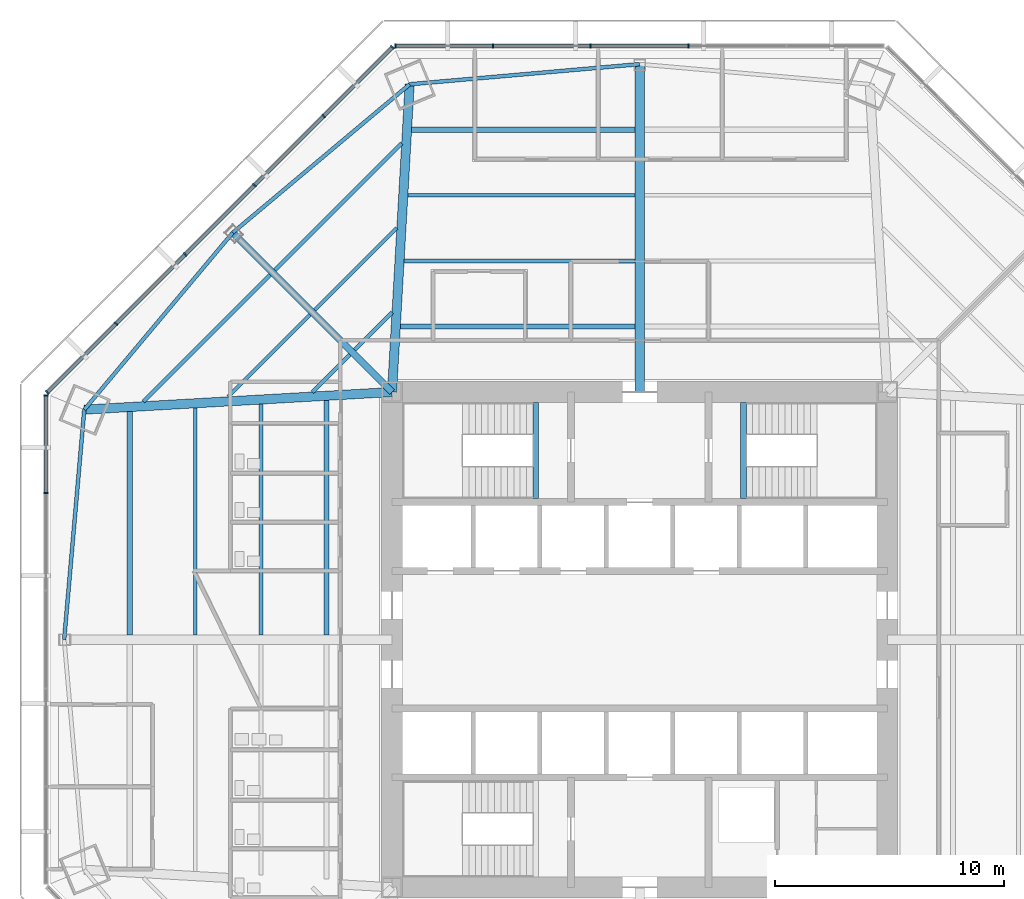
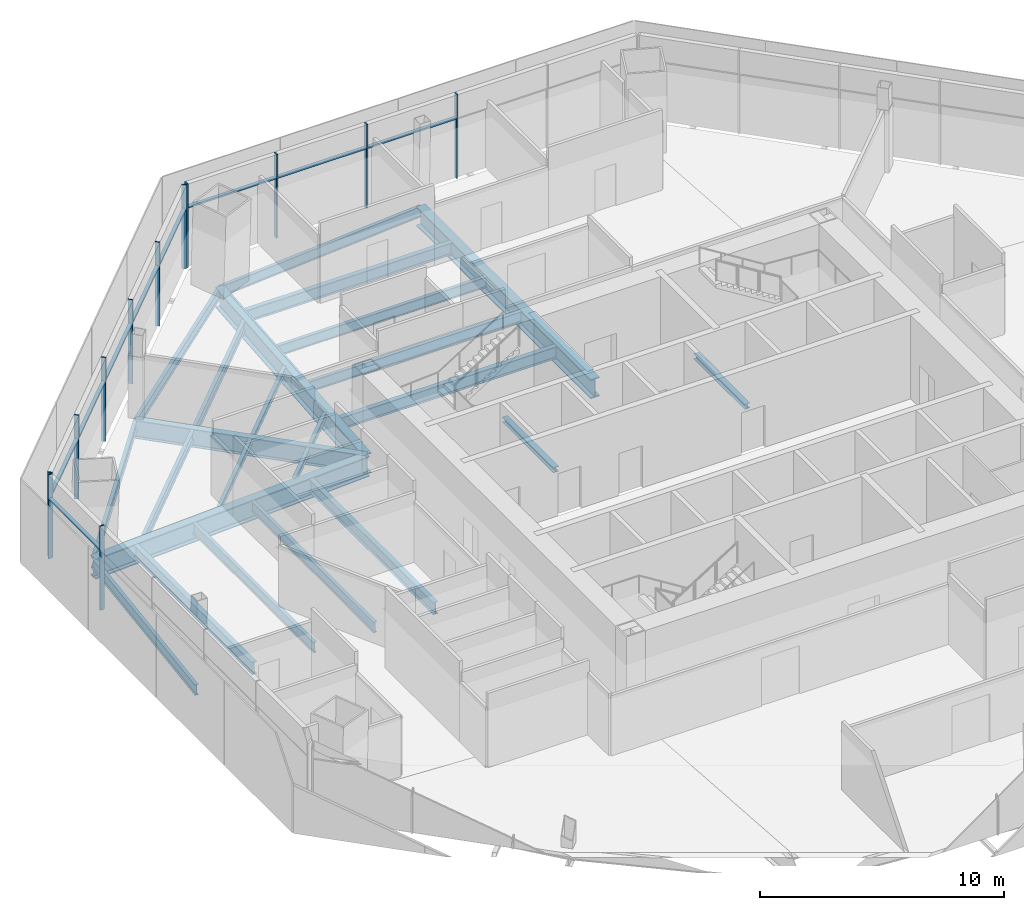
# One storey, part 5 of 15: 24 beams, 21 members, 3 elements without a shape of their own.
"""IFC4 building model written with IfcOpenShell, lengths in metres."""

import ifcopenshell
import ifcopenshell.guid

model = None  # the IFC model being written
_history = None  # IfcOwnerHistory: only IFC2X3 demands one
_inside = {}  # id of a spatial element -> (the spatial element, [elements in it])
_under = {}  # id of a project, library or spatial element -> (it, [spatial elements below it])
_declared = {}  # id of a project -> (the project, [libraries it declares])
_typed = {}  # id of a type object -> (the type object, [elements of that type])
_made_of = {}  # id of a material, layer set ... -> (it, [elements and type objects made of it])


def new_model(schema):
    """Start an empty IFC model of exactly this schema.

    Asked for "IFC4X3", IfcOpenShell would pick the latest addendum, in which some entities
    have other attributes; the version numbers below select the first issue.
    IFC2X3 requires an IfcOwnerHistory on every rooted entity: one is made here for all.
    """
    global model, _history
    if schema == "IFC4X3":
        model = ifcopenshell.file(schema_version=(4, 3, 0, 0))
    else:
        model = ifcopenshell.file(schema=schema)
    _inside.clear()
    _under.clear()
    _declared.clear()
    _typed.clear()
    _made_of.clear()
    _history = None
    if model.schema == "IFC2X3":
        org = make("IfcOrganization", Name="unknown")
        user = make(
            "IfcPersonAndOrganization",
            ThePerson=make("IfcPerson", FamilyName="unknown"),
            TheOrganization=org,
        )
        app = make(
            "IfcApplication",
            ApplicationDeveloper=org,
            Version="unknown",
            ApplicationFullName="unknown",
            ApplicationIdentifier="unknown",
        )
        _history = make(
            "IfcOwnerHistory",
            OwningUser=user,
            OwningApplication=app,
            ChangeAction="ADDED",
            CreationDate=0,
        )
    return model


def make(cls, **values):
    """One entity of the class cls with the attributes given. An attribute that is None is left unset."""
    return model.create_entity(
        cls, **{name: value for name, value in values.items() if value is not None}
    )


def rooted(cls, **values):
    """An entity with a GlobalId (a new one), such as an element, a storey or a relation."""
    return make(cls, GlobalId=ifcopenshell.guid.new(), OwnerHistory=_history, **values)


def si_unit(unit_type, name, prefix=None):
    """IfcSIUnit, for example si_unit("LENGTHUNIT", "METRE", prefix="MILLI")."""
    return make("IfcSIUnit", UnitType=unit_type, Prefix=prefix, Name=name)


def assignment(units):
    """IfcUnitAssignment: the units of a project."""
    return None if units is None else make("IfcUnitAssignment", Units=units)


def point(xyz):
    """IfcCartesianPoint."""
    return None if xyz is None else make("IfcCartesianPoint", Coordinates=xyz)


def direction(xyz):
    """IfcDirection."""
    return None if xyz is None else make("IfcDirection", DirectionRatios=xyz)


def frame(location, z_axis=None, x_axis=None):
    """IfcAxis2Placement3D, a coordinate frame: its origin and axes. An axis left out is left unset."""
    return make(
        "IfcAxis2Placement3D",
        Location=point(location),
        Axis=direction(z_axis),
        RefDirection=direction(x_axis),
    )


def frame_2d(location, x_axis=None):
    """IfcAxis2Placement2D, a coordinate frame in the plane: its origin and x axis."""
    return make(
        "IfcAxis2Placement2D", Location=point(location), RefDirection=direction(x_axis)
    )


def origin():
    """The frame at (0, 0, 0) with its axes left unset."""
    return frame((0.0, 0.0, 0.0))


def origin_2d():
    """The frame at (0, 0) in the plane with its x axis left unset."""
    return frame_2d((0.0, 0.0))


def place(relative_to, where):
    """IfcLocalPlacement: puts the frame where relative to a parent placement (None: the world)."""
    return make(
        "IfcLocalPlacement", PlacementRelTo=relative_to, RelativePlacement=where
    )


def context(
    kind, dimensions, precision=None, world=None, true_north=None, identifier=None
):
    """IfcGeometricRepresentationContext, for example the 3D "Model" context."""
    return make(
        "IfcGeometricRepresentationContext",
        ContextIdentifier=identifier,
        ContextType=kind,
        CoordinateSpaceDimension=dimensions,
        Precision=precision,
        WorldCoordinateSystem=world,
        TrueNorth=true_north,
    )


def subcontext(parent, identifier, kind, view, scale=None):
    """IfcGeometricRepresentationSubContext, for example "Body" below "Model"."""
    return make(
        "IfcGeometricRepresentationSubContext",
        ContextIdentifier=identifier,
        ContextType=kind,
        ParentContext=parent,
        TargetScale=scale,
        TargetView=view,
    )


def project(units=None, contexts=None):
    """IfcProject with its units and contexts."""
    return rooted(
        "IfcProject",
        Name="project",
        RepresentationContexts=contexts,
        UnitsInContext=assignment(units),
    )


def spatial(cls, under=None, at=None, **own):
    """A site, building, storey or space (cls), placed at a placement, below another one or the project."""
    s = rooted(cls, ObjectPlacement=at, **own)
    if under is not None:
        _under.setdefault(under.id(), (under, []))[1].append(s)
    return s


def profile(cls, at=None, kind="AREA", **sizes):
    """A parametric profile (cls). Its sizes go by their IFC names, for example OverallWidth=200.0."""
    return make(cls, ProfileType=kind, Position=at, **sizes)


def rectangle(**sizes):
    """IfcRectangleProfileDef."""
    return profile("IfcRectangleProfileDef", **sizes)


def i_section(**sizes):
    """IfcIShapeProfileDef."""
    return profile("IfcIShapeProfileDef", **sizes)


def extrude(swept, where, along, depth):
    """IfcExtrudedAreaSolid: the profile swept, set in the frame where, extruded along a direction by depth."""
    return make(
        "IfcExtrudedAreaSolid",
        SweptArea=swept,
        Position=where,
        ExtrudedDirection=direction(along),
        Depth=depth,
    )


def shape(context_of_items, identifier, shape_type, items):
    """IfcShapeRepresentation: the items that make up one representation, for example the "Body"."""
    return make(
        "IfcShapeRepresentation",
        ContextOfItems=context_of_items,
        RepresentationIdentifier=identifier,
        RepresentationType=shape_type,
        Items=items,
    )


def source(mapping_origin, context_of_items, identifier, shape_type, items):
    """IfcRepresentationMap: a shape defined once, which mapped items show again and again."""
    return make(
        "IfcRepresentationMap",
        MappingOrigin=mapping_origin,
        MappedRepresentation=shape(context_of_items, identifier, shape_type, items),
    )


def transform(
    local_origin,
    x_axis=None,
    y_axis=None,
    z_axis=None,
    scale=None,
    scale2=None,
    scale3=None,
    uniform=True,
):
    """IfcCartesianTransformationOperator3D, or its non-uniform kind. x_axis, y_axis, z_axis: its Axis1, 2, 3."""
    if uniform:
        return make(
            "IfcCartesianTransformationOperator3D",
            Axis1=direction(x_axis),
            Axis2=direction(y_axis),
            LocalOrigin=point(local_origin),
            Scale=scale,
            Axis3=direction(z_axis),
        )
    return make(
        "IfcCartesianTransformationOperator3DnonUniform",
        Axis1=direction(x_axis),
        Axis2=direction(y_axis),
        LocalOrigin=point(local_origin),
        Scale=scale,
        Axis3=direction(z_axis),
        Scale2=scale2,
        Scale3=scale3,
    )


def mapped(mapping_source, mapping_target):
    """IfcMappedItem: shows the shape of a source again, moved by a transform."""
    return make(
        "IfcMappedItem", MappingSource=mapping_source, MappingTarget=mapping_target
    )


def material(Name=None, Category=None):
    """IfcMaterial."""
    return make("IfcMaterial", Name=Name, Category=Category)


def material_profile(
    of_material, cross_section, Name=None, Category=None, Priority=None
):
    """IfcMaterialProfile: a cross section and its material."""
    return make(
        "IfcMaterialProfile",
        Name=Name,
        Material=of_material,
        Profile=cross_section,
        Priority=Priority,
        Category=Category,
    )


def profile_set(profiles, Name=None, composite=None):
    """IfcMaterialProfileSet."""
    return make(
        "IfcMaterialProfileSet",
        Name=Name,
        MaterialProfiles=profiles,
        CompositeProfile=composite,
    )


def made_of(thing, what):
    """Note that an element or type object is made of a material, layer set ...; save() writes the relation."""
    if what is not None:
        _made_of.setdefault(what.id(), (what, []))[1].append(thing)
    return thing


def type_object(cls, material=None, **own):
    """A type object (cls), such as IfcWallType, which elements share."""
    return made_of(rooted(cls, **own), material)


def type_shapes(of_type, sources):
    """Give a type object the sources (RepresentationMaps) that its elements show as mapped items."""
    of_type.RepresentationMaps = sources


def element(
    cls,
    number,
    at=None,
    inside=None,
    cuts=None,
    type_object=None,
    material=None,
    context=None,
    identifier="Body",
    shape_type=None,
    held_by="IfcProductDefinitionShape",
    body=None,
    shapes=None,
    **own,
):
    """One element of the class cls, such as IfcWall. Its Tag is "e" and its number.

    at: its placement. inside: the storey or other place that contains it. cuts: it is an
    opening in that element (IfcRelVoidsElement). A single representation is given by context,
    identifier, shape_type and body (its items); several are given by shapes. held_by: the class
    of the entity that holds the representations. save() writes the other relations.
    """
    e = rooted(cls, Tag="e%d" % number, ObjectPlacement=at, **own)
    if body is not None:
        shapes = [shape(context, identifier, shape_type, body)]
    if shapes is not None:
        e.Representation = make(held_by, Representations=shapes)
    if inside is not None:
        _inside.setdefault(inside.id(), (inside, []))[1].append(e)
    if cuts is not None:
        rooted(
            "IfcRelVoidsElement", RelatingBuildingElement=cuts, RelatedOpeningElement=e
        )
    if type_object is not None:
        _typed.setdefault(type_object.id(), (type_object, []))[1].append(e)
    return made_of(e, material)


def aggregate(whole, parts):
    """IfcRelAggregates: a whole, such as a stair, and the parts it consists of."""
    return rooted("IfcRelAggregates", RelatingObject=whole, RelatedObjects=parts)


def save(model, path):
    """Write the relations noted so far, then the file.

    IfcRelAggregates (storeys below a building ...), IfcRelContainedInSpatialStructure (elements
    in a storey), IfcRelDefinesByType, IfcRelAssociatesMaterial and IfcRelDeclares: one each for
    every whole, place, type object, material and project.
    """
    for whole, parts in _under.values():
        aggregate(whole, parts)
    for where, things in _inside.values():
        rooted(
            "IfcRelContainedInSpatialStructure",
            RelatedElements=things,
            RelatingStructure=where,
        )
    for kind, things in _typed.values():
        rooted("IfcRelDefinesByType", RelatedObjects=things, RelatingType=kind)
    for what, things in _made_of.values():
        rooted("IfcRelAssociatesMaterial", RelatedObjects=things, RelatingMaterial=what)
    for by, libraries in _declared.values():
        rooted("IfcRelDeclares", RelatingContext=by, RelatedDefinitions=libraries)
    model.write(path)


model = new_model("IFC4")

# Units and contexts
model_context = context("Model", 3, precision=1e-05, world=origin(), true_north=direction((0.0, 1.0)))
body_context = subcontext(model_context, "Body", "Model", "MODEL_VIEW")
ifc_project = project(units=[si_unit("LENGTHUNIT", "METRE"), si_unit("AREAUNIT", "SQUARE_METRE"), si_unit("VOLUMEUNIT", "CUBIC_METRE"), si_unit("PLANEANGLEUNIT", "RADIAN"), si_unit("MASSUNIT", "GRAM", prefix="KILO")], contexts=[model_context])

# Site, building, storey
site_placement = place(None, origin())
site = spatial("IfcSite", under=ifc_project, at=site_placement, CompositionType="ELEMENT")
building_placement = place(site_placement, origin())
building = spatial("IfcBuilding", under=site, at=building_placement, Name="Mashrafa Tower", CompositionType="ELEMENT")
storey_placement = place(building_placement, frame((0.0, 0.0, 75.0)))
storey = spatial("IfcBuildingStorey", under=building, at=storey_placement, Name="L16", CompositionType="ELEMENT", Elevation=75.0)

# Beams
ifc_material_1 = material(Name="Steel ASTM A992", Category="steel")
ifc_material_profile_1 = material_profile(ifc_material_1, i_section(OverallWidth=0.164794921875, OverallDepth=0.309814453125, WebThickness=0.005859375, FlangeThickness=0.009765625, FilletRadius=0.007568359375, at=origin_2d()), Name="W12X26")
ifc_profile_set_1 = profile_set([ifc_material_profile_1], Name="Steel ASTM A992")
beam_type_1 = type_object("IfcBeamType", Name="Beam W12X26", PredefinedType="BEAM", material=ifc_profile_set_1)
beam_1_placement = place(storey_placement, frame((-17.955078125, 10.591552734375, -0.31982421875), z_axis=(0.707106781187, 0.707106781187, 0.0), x_axis=(-0.707106781187, 0.707106781187, 0.0)))
element("IfcBeam", 1, at=beam_1_placement, inside=storey, type_object=beam_type_1, Name="Floor beam L16 006", PredefinedType="BEAM", context=body_context, shape_type="SweptSolid", body=[
    extrude(i_section(OverallWidth=0.164794921875, OverallDepth=0.309814453125, WebThickness=0.005859375, FlangeThickness=0.009765625, FilletRadius=0.007568359375, at=origin_2d()), origin(), (0.0, 0.0, 1.0), 5.054443359375),
])
beam_2_placement = place(storey_placement, frame((-14.27099609375, 10.802490234375, -0.31982421875), z_axis=(0.707106781187, 0.707106781187, 0.0), x_axis=(-0.707106781187, 0.707106781187, 0.0)))
element("IfcBeam", 2, at=beam_2_placement, inside=storey, type_object=beam_type_1, Name="Floor beam L16 011", PredefinedType="BEAM", context=body_context, shape_type="SweptSolid", body=[
    extrude(i_section(OverallWidth=0.164794921875, OverallDepth=0.309814453125, WebThickness=0.005859375, FlangeThickness=0.009765625, FilletRadius=0.007568359375, at=origin_2d()), origin(), (0.0, 0.0, 1.0), 2.300048828125),
])
beam_3_placement = place(storey_placement, frame((-14.16552734375, 14.381103515625, -0.31982421875), z_axis=(0.707106781187, 0.707106781187, 0.0), x_axis=(-0.707106781187, 0.707106781187, 0.0)))
element("IfcBeam", 3, at=beam_3_placement, inside=storey, type_object=beam_type_1, Name="Floor beam L16 013", PredefinedType="BEAM", context=body_context, shape_type="SweptSolid", body=[
    extrude(i_section(OverallWidth=0.164794921875, OverallDepth=0.309814453125, WebThickness=0.005859375, FlangeThickness=0.009765625, FilletRadius=0.007568359375, at=origin_2d()), origin(), (0.0, 0.0, 1.0), 5.054443359375),
])
beam_4_placement = place(storey_placement, frame((-12.428955078125, 12.64453125, -0.31982421875), z_axis=(0.707106781187, 0.707106781187, 0.0), x_axis=(-0.707106781187, 0.707106781187, 0.0)))
element("IfcBeam", 4, at=beam_4_placement, inside=storey, type_object=beam_type_1, Name="Floor beam L16 017", PredefinedType="BEAM", context=body_context, shape_type="SweptSolid", body=[
    extrude(i_section(OverallWidth=0.164794921875, OverallDepth=0.309814453125, WebThickness=0.005859375, FlangeThickness=0.009765625, FilletRadius=0.007568359375, at=origin_2d()), origin(), (0.0, 0.0, 1.0), 2.300048828125),
])
ifc_material_2 = material(Name="Steel ASTM A992", Category="steel")
ifc_material_profile_2 = material_profile(ifc_material_2, i_section(OverallWidth=0.165771484375, OverallDepth=0.5283203125, WebThickness=0.009765625, FlangeThickness=0.013671875, FilletRadius=0.012939453125, at=origin_2d()), Name="W21X50")
ifc_profile_set_2 = profile_set([ifc_material_profile_2], Name="Steel ASTM A992")
beam_type_2 = type_object("IfcBeamType", Name="Beam W21X50", PredefinedType="BEAM", material=ifc_profile_set_2)
beam_5_placement = place(storey_placement, frame((-21.639404296875, 10.380615234375, -0.42919921875), z_axis=(0.707091148472, 0.707122413556, 0.0), x_axis=(-0.707122413556, 0.707091148472, 0.0)))
element("IfcBeam", 5, at=beam_5_placement, inside=storey, type_object=beam_type_2, Name="Floor beam L16 003", PredefinedType="BEAM", context=body_context, shape_type="SweptSolid", body=[
    extrude(i_section(OverallWidth=0.165771484375, OverallDepth=0.5283203125, WebThickness=0.009765625, FlangeThickness=0.013671875, FilletRadius=0.012939453125, at=origin_2d()), origin(), (0.0, 0.0, 1.0), 7.808837890625),
])
beam_6_placement = place(storey_placement, frame((-19.378662109375, 0.212158203125, -0.42919921875), z_axis=(0.0, 1.0, 0.0), x_axis=(-1.0, 0.0, 0.0)))
element("IfcBeam", 6, at=beam_6_placement, inside=storey, type_object=beam_type_2, Name="Floor beam L16 005", PredefinedType="BEAM", context=body_context, shape_type="SweptSolid", body=[
    extrude(i_section(OverallWidth=0.165771484375, OverallDepth=0.5283203125, WebThickness=0.009765625, FlangeThickness=0.013671875, FilletRadius=0.012939453125, at=origin_2d()), origin(), (0.0, 0.0, 1.0), 9.89599609375),
])
beam_7_placement = place(storey_placement, frame((-16.51904296875, 0.212158203125, -0.42919921875), z_axis=(0.0, 1.0, 0.0), x_axis=(-1.0, 0.0, 0.0)))
element("IfcBeam", 7, at=beam_7_placement, inside=storey, type_object=beam_type_2, Name="Floor beam L16 008", PredefinedType="BEAM", context=body_context, shape_type="SweptSolid", body=[
    extrude(i_section(OverallWidth=0.165771484375, OverallDepth=0.5283203125, WebThickness=0.009765625, FlangeThickness=0.013671875, FilletRadius=0.012939453125, at=origin_2d()), origin(), (0.0, 0.0, 1.0), 10.0595703125),
])
beam_8_placement = place(storey_placement, frame((-15.90234375, 16.117919921875, -0.42919921875), z_axis=(0.707122413556, 0.707091148472, 0.0), x_axis=(-0.707091148472, 0.707122413556, 0.0)))
element("IfcBeam", 8, at=beam_8_placement, inside=storey, type_object=beam_type_2, Name="Floor beam L16 010", PredefinedType="BEAM", context=body_context, shape_type="SweptSolid", body=[
    extrude(i_section(OverallWidth=0.165771484375, OverallDepth=0.5283203125, WebThickness=0.009765625, FlangeThickness=0.013671875, FilletRadius=0.012939453125, at=origin_2d()), origin(), (0.0, 0.0, 1.0), 7.808837890625),
])
beam_9_placement = place(storey_placement, frame((-10.271728515625, 16.51904296875, -0.42919921875), z_axis=(1.0, 0.0, 0.0), x_axis=(0.0, 1.0, 0.0)))
element("IfcBeam", 9, at=beam_9_placement, inside=storey, type_object=beam_type_2, Name="Floor beam L16 020", PredefinedType="BEAM", context=body_context, shape_type="SweptSolid", body=[
    extrude(i_section(OverallWidth=0.165771484375, OverallDepth=0.5283203125, WebThickness=0.009765625, FlangeThickness=0.013671875, FilletRadius=0.012939453125, at=origin_2d()), origin(), (0.0, 0.0, 1.0), 10.0595703125),
])
beam_10_placement = place(storey_placement, frame((-10.108154296875, 19.378662109375, -0.42919921875), z_axis=(1.0, 0.0, 0.0), x_axis=(0.0, 1.0, 0.0)))
element("IfcBeam", 10, at=beam_10_placement, inside=storey, type_object=beam_type_2, Name="Floor beam L16 022", PredefinedType="BEAM", context=body_context, shape_type="SweptSolid", body=[
    extrude(i_section(OverallWidth=0.165771484375, OverallDepth=0.5283203125, WebThickness=0.009765625, FlangeThickness=0.013671875, FilletRadius=0.012939453125, at=origin_2d()), origin(), (0.0, 0.0, 1.0), 9.89599609375),
])
beam_11_placement = place(storey_placement, frame((-24.219482421875, 10.031982421875, -0.42919921875), z_axis=(-0.087203941419, -0.996190480079, 0.0), x_axis=(0.996190480079, -0.087203941419, 0.0)))
element("IfcBeam", 11, at=beam_11_placement, inside=storey, type_object=beam_type_2, Name="Spandrel beam L16 075", PredefinedType="BEAM", context=body_context, shape_type="SweptSolid", body=[
    extrude(i_section(OverallWidth=0.165771484375, OverallDepth=0.5283203125, WebThickness=0.009765625, FlangeThickness=0.013671875, FilletRadius=0.012939453125, at=origin_2d()), origin(), (0.0, 0.0, 1.0), 10.0703125),
])
for number, where, z_axis, x_axis, name in (
    (12, (-17.746826171875, 17.746826171875, -0.42919921875), (-0.642737127669, -0.766086799727, 0.0), (0.766086799727, -0.642737127669, 0.0), "Spandrel beam L16 077"),
    (13, (-10.031982421875, 24.219482421875, -0.42919921875), (-0.766086799727, -0.642737127669, 0.0), (0.642737127669, -0.766086799727, 0.0), "Spandrel beam L16 079"),
):
    element("IfcBeam", number, at=place(storey_placement, frame(where, z_axis=z_axis, x_axis=x_axis)), inside=storey, type_object=beam_type_2, Name=name, PredefinedType="BEAM", context=body_context, shape_type="SweptSolid", body=[
        extrude(i_section(OverallWidth=0.165771484375, OverallDepth=0.5283203125, WebThickness=0.009765625, FlangeThickness=0.013671875, FilletRadius=0.012939453125, at=origin_2d()), origin(), (0.0, 0.0, 1.0), 10.070556640625),
    ])
beam_12_placement = place(storey_placement, frame((0.0, 25.09765625, -0.42919921875), z_axis=(-0.996190480079, -0.087203941419, 0.0), x_axis=(0.087203941419, -0.996190480079, 0.0)))
element("IfcBeam", 14, at=beam_12_placement, inside=storey, type_object=beam_type_2, Name="Spandrel beam L16 081", PredefinedType="BEAM", context=body_context, shape_type="SweptSolid", body=[
    extrude(i_section(OverallWidth=0.165771484375, OverallDepth=0.5283203125, WebThickness=0.009765625, FlangeThickness=0.013671875, FilletRadius=0.012939453125, at=origin_2d()), origin(), (0.0, 0.0, 1.0), 10.0703125),
])
ifc_material_3 = material(Name="Steel ASTM A992", Category="steel")
ifc_material_profile_3 = material_profile(ifc_material_3, i_section(OverallWidth=0.227783203125, OverallDepth=0.60205078125, WebThickness=0.010498046875, FlangeThickness=0.014892578125, FilletRadius=0.012939453125, at=origin_2d()), Name="W24X68")
ifc_profile_set_3 = profile_set([ifc_material_profile_3], Name="Steel ASTM A992")
beam_type_3 = type_object("IfcBeamType", Name="Beam W24X68", PredefinedType="BEAM", material=ifc_profile_set_3)
beam_13_placement = place(storey_placement, frame((-22.23828125, 0.212158203125, -0.466064453125), z_axis=(0.0, 1.0, 0.0), x_axis=(-1.0, 0.0, 0.0)))
element("IfcBeam", 15, at=beam_13_placement, inside=storey, type_object=beam_type_3, Name="Floor beam L16 002", PredefinedType="BEAM", context=body_context, shape_type="SweptSolid", body=[
    extrude(i_section(OverallWidth=0.227783203125, OverallDepth=0.60205078125, WebThickness=0.010498046875, FlangeThickness=0.014892578125, FilletRadius=0.012939453125, at=origin_2d()), origin(), (0.0, 0.0, 1.0), 9.732421875),
])
for number, where, z_axis, x_axis, name in (
    (16, (-13.659423828125, 0.212158203125, -0.466064453125), (0.0, 1.0, 0.0), (-1.0, 0.0, 0.0), "Floor beam L16 015"),
    (17, (-10.435302734375, 13.659423828125, -0.466064453125), (1.0, 0.0, 0.0), (0.0, 1.0, 0.0), "Floor beam L16 018"),
):
    element("IfcBeam", number, at=place(storey_placement, frame(where, z_axis=z_axis, x_axis=x_axis)), inside=storey, type_object=beam_type_3, Name=name, PredefinedType="BEAM", context=body_context, shape_type="SweptSolid", body=[
        extrude(i_section(OverallWidth=0.227783203125, OverallDepth=0.60205078125, WebThickness=0.010498046875, FlangeThickness=0.014892578125, FilletRadius=0.012939453125, at=origin_2d()), origin(), (0.0, 0.0, 1.0), 10.22314453125),
    ])
beam_14_placement = place(storey_placement, frame((-9.944580078125, 22.23828125, -0.466064453125), z_axis=(1.0, 0.0, 0.0), x_axis=(0.0, 1.0, 0.0)))
element("IfcBeam", 18, at=beam_14_placement, inside=storey, type_object=beam_type_3, Name="Floor beam L16 024", PredefinedType="BEAM", context=body_context, shape_type="SweptSolid", body=[
    extrude(i_section(OverallWidth=0.227783203125, OverallDepth=0.60205078125, WebThickness=0.010498046875, FlangeThickness=0.014892578125, FilletRadius=0.012939453125, at=origin_2d()), origin(), (0.0, 0.0, 1.0), 9.732421875),
])
ifc_material_4 = material(Name="Steel ASTM A992", Category="steel")
ifc_material_profile_4 = material_profile(ifc_material_4, i_section(OverallWidth=0.3046875, OverallDepth=0.911865234375, WebThickness=0.015869140625, FlangeThickness=0.02392578125, FilletRadius=0.01904296875, at=origin_2d()), Name="W36X150")
ifc_profile_set_4 = profile_set([ifc_material_profile_4], Name="Steel ASTM A992")
beam_type_4 = type_object("IfcBeamType", Name="Beam W36X150", PredefinedType="BEAM", material=ifc_profile_set_4)
beam_15_placement = place(storey_placement, frame((-10.800048828125, 10.800048828125, -0.620849609375), z_axis=(-0.707106781187, 0.707106781187, 0.0), x_axis=(-0.707106781187, -0.707106781187, 0.0)))
element("IfcBeam", 19, at=beam_15_placement, inside=storey, type_object=beam_type_4, Name="Radial girder L16 062", PredefinedType="BEAM", context=body_context, shape_type="SweptSolid", body=[
    extrude(i_section(OverallWidth=0.3046875, OverallDepth=0.911865234375, WebThickness=0.015869140625, FlangeThickness=0.02392578125, FilletRadius=0.01904296875, at=origin_2d()), origin(), (0.0, 0.0, 1.0), 9.82421875),
])
ifc_material_5 = material(Name="Steel ASTM A992", Category="steel")
ifc_material_profile_5 = material_profile(ifc_material_5, i_section(OverallWidth=0.424072265625, OverallDepth=0.960205078125, WebThickness=0.028564453125, FlangeThickness=0.051025390625, FilletRadius=0.02001953125, at=origin_2d()), Name="W36X361")
ifc_profile_set_5 = profile_set([ifc_material_profile_5], Name="Steel ASTM A992")
beam_type_5 = type_object("IfcBeamType", Name="Beam W36X361", PredefinedType="BEAM", material=ifc_profile_set_5)
beam_16_placement = place(storey_placement, frame((0.0, 10.800048828125, -0.64501953125), z_axis=(0.0, 1.0, 0.0), x_axis=(-1.0, 0.0, 0.0)))
element("IfcBeam", 20, at=beam_16_placement, inside=storey, type_object=beam_type_5, Name="Radial girder L16 065", PredefinedType="BEAM", context=body_context, shape_type="SweptSolid", body=[
    extrude(i_section(OverallWidth=0.424072265625, OverallDepth=0.960205078125, WebThickness=0.028564453125, FlangeThickness=0.051025390625, FilletRadius=0.02001953125, at=origin_2d()), origin(), (0.0, 0.0, 1.0), 14.297607421875),
])
ifc_material_6 = material(Name="Steel ASTM A992", Category="steel")
ifc_material_profile_6 = material_profile(ifc_material_6, i_section(OverallWidth=0.4013671875, OverallDepth=1.010986328125, WebThickness=0.023681640625, FlangeThickness=0.0419921875, FilletRadius=0.02001953125, at=origin_2d()), Name="W40X297")
ifc_profile_set_6 = profile_set([ifc_material_profile_6], Name="Steel ASTM A992")
beam_type_6 = type_object("IfcBeamType", Name="Beam W40X297", PredefinedType="BEAM", material=ifc_profile_set_6)
for number, where, z_axis, x_axis, name in (
    (21, (-10.800048828125, 10.800048828125, -0.67041015625), (-0.99836606887, -0.0571418632, 0.0), (0.0571418632, -0.99836606887, 0.0), "Radial girder L16 061"),
    (22, (-10.800048828125, 10.800048828125, -0.67041015625), (0.0571418632, 0.99836606887, 0.0), (-0.99836606887, 0.0571418632, 0.0), "Radial girder L16 063"),
):
    element("IfcBeam", number, at=place(storey_placement, frame(where, z_axis=z_axis, x_axis=x_axis)), inside=storey, type_object=beam_type_6, Name=name, PredefinedType="BEAM", context=body_context, shape_type="SweptSolid", body=[
        extrude(i_section(OverallWidth=0.4013671875, OverallDepth=1.010986328125, WebThickness=0.023681640625, FlangeThickness=0.0419921875, FilletRadius=0.02001953125, at=origin_2d()), origin(), (0.0, 0.0, 1.0), 13.44140625),
    ])
ifc_material_7 = material(Name="Steel ASTM A992", Category="steel")
ifc_material_profile_7 = material_profile(ifc_material_7, i_section(OverallWidth=0.25390625, OverallDepth=0.25390625, WebThickness=0.008544921875, FlangeThickness=0.01416015625, FilletRadius=0.010009765625, at=origin_2d()), Name="W10X49")
ifc_profile_set_7 = profile_set([ifc_material_profile_7], Name="Steel ASTM A992")
beam_type_7 = type_object("IfcBeamType", Name="Hoistway beam W10X49", PredefinedType="BEAM", material=ifc_profile_set_7)
for number, where, z_axis, x_axis, name in (
    (23, (-4.530029296875, 6.14990234375, -0.326904296875), (0.0, 1.0, 0.0), (-1.0, 0.0, 0.0), "Stair S1 landing beam L16"),
    (24, (4.530029296875, 6.14990234375, -0.326904296875), (0.0, 1.0, 0.0), (-1.0, 0.0, 0.0), "Stair S2 landing beam L16"),
):
    element("IfcBeam", number, at=place(storey_placement, frame(where, z_axis=z_axis, x_axis=x_axis)), inside=storey, type_object=beam_type_7, Name=name, PredefinedType="BEAM", context=body_context, shape_type="SweptSolid", body=[
        extrude(i_section(OverallWidth=0.25390625, OverallDepth=0.25390625, WebThickness=0.008544921875, FlangeThickness=0.01416015625, FilletRadius=0.010009765625, at=origin_2d()), origin(), (0.0, 0.0, 1.0), 4.2001953125),
    ])

# Curtain wall, members
ifc_material_8 = material(Name="Unitised aluminium curtain wall", Category="aluminium")
curtain_wall_type = type_object("IfcCurtainWallType", Name="Office curtain wall, zone 1 CW-A 200 deep", PredefinedType="NOTDEFINED", material=ifc_material_8)
curtain_wall_1_placement = place(storey_placement, origin())
curtain_wall_1 = element("IfcCurtainWall", 25, at=curtain_wall_1_placement, inside=storey, type_object=curtain_wall_type, Name="Office curtain wall, zone 1 L16 north", PredefinedType="NOTDEFINED")
ifc_material_9 = material(Name="Extruded aluminium mullion", Category="aluminium")
ifc_material_profile_8 = material_profile(ifc_material_9, rectangle(XDim=0.199951171875, YDim=0.06494140625, at=origin_2d()), Name="Mullion 65x200")
ifc_profile_set_8 = profile_set([ifc_material_profile_8], Name="Extruded aluminium mullion")
member_type_1 = type_object("IfcMemberType", Name="Mullion CW-A 65 x 200", PredefinedType="MULLION", material=ifc_profile_set_8)
shared_shape_1 = source(origin(), body_context, "Body", "SweptSolid", [
    extrude(rectangle(XDim=0.199951171875, YDim=0.06494140625, at=origin_2d()), origin(), (0.0, 0.0, 1.0), 4.199951171875),
])
type_shapes(member_type_1, [shared_shape_1])
member_1_placement = place(storey_placement, frame((2.134765625, 25.89306640625, 0.0), z_axis=(0.0, 0.0, 1.0), x_axis=(0.0, -1.0, 0.0)))
member_1 = element("IfcMember", 26, at=member_1_placement, type_object=member_type_1, Name="CW-A mullion 3", PredefinedType="MULLION", context=body_context, shape_type="MappedRepresentation", body=[
    mapped(shared_shape_1, transform((0.0, 0.0, 0.0))),
])
member_2_placement = place(storey_placement, frame((-2.134765625, 25.89306640625, 0.0), z_axis=(0.0, 0.0, 1.0), x_axis=(0.0, -1.0, 0.0)))
member_2 = element("IfcMember", 27, at=member_2_placement, type_object=member_type_1, Name="CW-A mullion 4", PredefinedType="MULLION", context=body_context, shape_type="MappedRepresentation", body=[
    mapped(shared_shape_1, transform((0.0, 0.0, 0.0))),
])
member_3_placement = place(storey_placement, frame((-6.404296875, 25.89306640625, 0.0), z_axis=(0.0, 0.0, 1.0), x_axis=(0.0, -1.0, 0.0)))
member_3 = element("IfcMember", 28, at=member_3_placement, type_object=member_type_1, Name="CW-A mullion 5", PredefinedType="MULLION", context=body_context, shape_type="MappedRepresentation", body=[
    mapped(shared_shape_1, transform((0.0, 0.0, 0.0))),
])
member_4_placement = place(storey_placement, frame((-10.641357421875, 25.89306640625, 0.0), z_axis=(0.0, 0.0, 1.0), x_axis=(0.0, -1.0, 0.0)))
member_4 = element("IfcMember", 29, at=member_4_placement, type_object=member_type_1, Name="CW-A mullion 6", PredefinedType="MULLION", context=body_context, shape_type="MappedRepresentation", body=[
    mapped(shared_shape_1, transform((0.0, 0.0, 0.0))),
])

curtain_wall_2_placement = place(storey_placement, origin())
curtain_wall_2 = element("IfcCurtainWall", 30, at=curtain_wall_2_placement, inside=storey, type_object=curtain_wall_type, Name="Office curtain wall, zone 1 L16 north-west", PredefinedType="NOTDEFINED")
member_5_placement = place(storey_placement, frame((-10.78466796875, 25.833740234375, 0.0), z_axis=(0.0, 0.0, 1.0), x_axis=(0.707106781187, -0.707106781187, 0.0)))
member_5 = element("IfcMember", 31, at=member_5_placement, type_object=member_type_1, Name="CW-A mullion 1", PredefinedType="MULLION", context=body_context, shape_type="MappedRepresentation", body=[
    mapped(shared_shape_1, transform((0.0, 0.0, 0.0))),
])
member_6_placement = place(storey_placement, frame((-13.780517578125, 22.837646484375, 0.0), z_axis=(0.0, 0.0, 1.0), x_axis=(0.707106781187, -0.707106781187, 0.0)))
member_6 = element("IfcMember", 32, at=member_6_placement, type_object=member_type_1, Name="CW-A mullion 2", PredefinedType="MULLION", context=body_context, shape_type="MappedRepresentation", body=[
    mapped(shared_shape_1, transform((0.0, 0.0, 0.0))),
])
member_7_placement = place(storey_placement, frame((-16.799560546875, 19.818603515625, 0.0), z_axis=(0.0, 0.0, 1.0), x_axis=(0.707106781187, -0.707106781187, 0.0)))
member_7 = element("IfcMember", 33, at=member_7_placement, type_object=member_type_1, Name="CW-A mullion 3", PredefinedType="MULLION", context=body_context, shape_type="MappedRepresentation", body=[
    mapped(shared_shape_1, transform((0.0, 0.0, 0.0))),
])
member_8_placement = place(storey_placement, frame((-19.818603515625, 16.799560546875, 0.0), z_axis=(0.0, 0.0, 1.0), x_axis=(0.707106781187, -0.707106781187, 0.0)))
member_8 = element("IfcMember", 34, at=member_8_placement, type_object=member_type_1, Name="CW-A mullion 4", PredefinedType="MULLION", context=body_context, shape_type="MappedRepresentation", body=[
    mapped(shared_shape_1, transform((0.0, 0.0, 0.0))),
])
member_9_placement = place(storey_placement, frame((-22.837646484375, 13.780517578125, 0.0), z_axis=(0.0, 0.0, 1.0), x_axis=(0.707106781187, -0.707106781187, 0.0)))
member_9 = element("IfcMember", 35, at=member_9_placement, type_object=member_type_1, Name="CW-A mullion 5", PredefinedType="MULLION", context=body_context, shape_type="MappedRepresentation", body=[
    mapped(shared_shape_1, transform((0.0, 0.0, 0.0))),
])
member_10_placement = place(storey_placement, frame((-25.833740234375, 10.78466796875, 0.0), z_axis=(0.0, 0.0, 1.0), x_axis=(0.707106781187, -0.707106781187, 0.0)))
member_10 = element("IfcMember", 36, at=member_10_placement, type_object=member_type_1, Name="CW-A mullion 6", PredefinedType="MULLION", context=body_context, shape_type="MappedRepresentation", body=[
    mapped(shared_shape_1, transform((0.0, 0.0, 0.0))),
])

curtain_wall_3_placement = place(storey_placement, origin())
curtain_wall_3 = element("IfcCurtainWall", 37, at=curtain_wall_3_placement, inside=storey, type_object=curtain_wall_type, Name="Office curtain wall, zone 1 L16 west", PredefinedType="NOTDEFINED")
member_11_placement = place(storey_placement, frame((-25.89306640625, 10.641357421875, 0.0), z_axis=(0.0, 0.0, 1.0), x_axis=(1.0, 0.0, 0.0)))
member_11 = element("IfcMember", 38, at=member_11_placement, type_object=member_type_1, Name="CW-A mullion 1", PredefinedType="MULLION", context=body_context, shape_type="MappedRepresentation", body=[
    mapped(shared_shape_1, transform((0.0, 0.0, 0.0))),
])
member_12_placement = place(storey_placement, frame((-25.89306640625, 6.404296875, 0.0), z_axis=(0.0, 0.0, 1.0), x_axis=(1.0, 0.0, 0.0)))
member_12 = element("IfcMember", 39, at=member_12_placement, type_object=member_type_1, Name="CW-A mullion 2", PredefinedType="MULLION", context=body_context, shape_type="MappedRepresentation", body=[
    mapped(shared_shape_1, transform((0.0, 0.0, 0.0))),
])

# Member
ifc_material_10 = material(Name="Extruded aluminium transom", Category="aluminium")
ifc_material_profile_9 = material_profile(ifc_material_10, rectangle(XDim=0.159912109375, YDim=0.080078125, at=origin_2d()), Name="Transom 80x160")
ifc_profile_set_9 = profile_set([ifc_material_profile_9], Name="Extruded aluminium transom")
member_type_2 = type_object("IfcMemberType", Name="Transom CW-A 80 x 160", PredefinedType="MULLION", material=ifc_profile_set_9)
shared_shape_2 = source(origin(), body_context, "Body", "SweptSolid", [
    extrude(rectangle(XDim=0.159912109375, YDim=0.080078125, at=origin_2d()), origin(), (0.0, 0.0, 1.0), 4.172119140625),
])
member_13_placement = place(storey_placement, frame((-6.436767578125, 25.89306640625, 3.0), z_axis=(-1.0, 0.0, 0.0), x_axis=(0.0, -1.0, 0.0)))
member_13 = element("IfcMember", 40, at=member_13_placement, type_object=member_type_2, Name="CW-A transom 5", PredefinedType="MULLION", context=body_context, shape_type="MappedRepresentation", body=[
    mapped(shared_shape_2, transform((0.0, 0.0, 0.0))),
])

member_14_placement = place(storey_placement, frame((-10.8076171875, 25.810791015625, 3.0), z_axis=(-0.707077521394, -0.707136039769, 0.0), x_axis=(0.707136039769, -0.707077521394, 0.0)))
member_14 = element("IfcMember", 41, at=member_14_placement, type_object=member_type_2, Name="CW-A transom 1", PredefinedType="MULLION", context=body_context, shape_type="MappedRepresentation", body=[
    mapped(shared_shape_2, transform((0.0, 0.0, 0.0))),
])

member_15_placement = place(storey_placement, frame((-22.860595703125, 13.757568359375, 3.0), z_axis=(-0.707136039769, -0.707077521394, 0.0), x_axis=(0.707077521394, -0.707136039769, 0.0)))
member_15 = element("IfcMember", 42, at=member_15_placement, type_object=member_type_2, Name="CW-A transom 5", PredefinedType="MULLION", context=body_context, shape_type="MappedRepresentation", body=[
    mapped(shared_shape_2, transform((0.0, 0.0, 0.0))),
])

member_16_placement = place(storey_placement, frame((-25.89306640625, 10.60888671875, 3.0), z_axis=(0.0, -1.0, 0.0), x_axis=(1.0, 0.0, 0.0)))
member_16 = element("IfcMember", 43, at=member_16_placement, type_object=member_type_2, Name="CW-A transom 1", PredefinedType="MULLION", context=body_context, shape_type="MappedRepresentation", body=[
    mapped(shared_shape_2, transform((0.0, 0.0, 0.0))),
])

aggregate(curtain_wall_3, [member_11, member_12, member_16])

shared_shape_3 = source(origin(), body_context, "Body", "SweptSolid", [
    extrude(rectangle(XDim=0.159912109375, YDim=0.080078125, at=origin_2d()), origin(), (0.0, 0.0, 1.0), 4.20458984375),
])
member_17_placement = place(storey_placement, frame((2.102294921875, 25.89306640625, 3.0), z_axis=(-1.0, 0.0, 0.0), x_axis=(0.0, -1.0, 0.0)))
member_17 = element("IfcMember", 44, at=member_17_placement, type_object=member_type_2, Name="CW-A transom 3", PredefinedType="MULLION", context=body_context, shape_type="MappedRepresentation", body=[
    mapped(shared_shape_3, transform((0.0, 0.0, 0.0))),
])

member_18_placement = place(storey_placement, frame((-2.167236328125, 25.89306640625, 3.0), z_axis=(-1.0, 0.0, 0.0), x_axis=(0.0, -1.0, 0.0)))
member_18 = element("IfcMember", 45, at=member_18_placement, type_object=member_type_2, Name="CW-A transom 4", PredefinedType="MULLION", context=body_context, shape_type="MappedRepresentation", body=[
    mapped(shared_shape_3, transform((0.0, 0.0, 0.0))),
])

aggregate(curtain_wall_1, [member_1, member_2, member_3, member_4, member_17, member_18, member_13])

member_19_placement = place(storey_placement, frame((-13.8037109375, 22.814697265625, 3.0), z_axis=(-0.707077747259, -0.707135813922, 0.0), x_axis=(0.707135813922, -0.707077747259, 0.0)))
member_19 = element("IfcMember", 46, at=member_19_placement, type_object=member_type_2, Name="CW-A transom 2", PredefinedType="MULLION", context=body_context, shape_type="MappedRepresentation", body=[
    mapped(shared_shape_3, transform((0.0, 0.0, 0.0))),
])

member_20_placement = place(storey_placement, frame((-19.841552734375, 16.776611328125, 3.0), z_axis=(-0.707135813922, -0.707077747259, 0.0), x_axis=(0.707077747259, -0.707135813922, 0.0)))
member_20 = element("IfcMember", 47, at=member_20_placement, type_object=member_type_2, Name="CW-A transom 4", PredefinedType="MULLION", context=body_context, shape_type="MappedRepresentation", body=[
    mapped(shared_shape_3, transform((0.0, 0.0, 0.0))),
])

shared_shape_4 = source(origin(), body_context, "Body", "SweptSolid", [
    extrude(rectangle(XDim=0.159912109375, YDim=0.080078125, at=origin_2d()), origin(), (0.0, 0.0, 1.0), 4.204345703125),
])
type_shapes(member_type_2, [shared_shape_2, shared_shape_3, shared_shape_4])
member_21_placement = place(storey_placement, frame((-16.82275390625, 19.795654296875, 3.0), z_axis=(-0.707106781187, -0.707106781187, 0.0), x_axis=(0.707106781187, -0.707106781187, 0.0)))
member_21 = element("IfcMember", 48, at=member_21_placement, type_object=member_type_2, Name="CW-A transom 3", PredefinedType="MULLION", context=body_context, shape_type="MappedRepresentation", body=[
    mapped(shared_shape_4, transform((0.0, 0.0, 0.0))),
])

aggregate(curtain_wall_2, [member_5, member_6, member_7, member_8, member_9, member_10, member_14, member_19, member_21, member_20, member_15])

save(model, "model.ifc")
